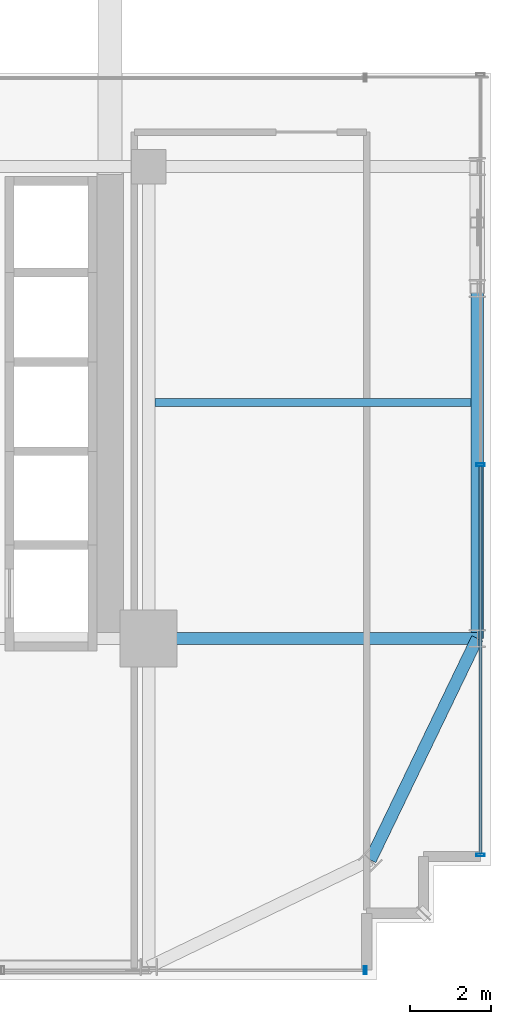
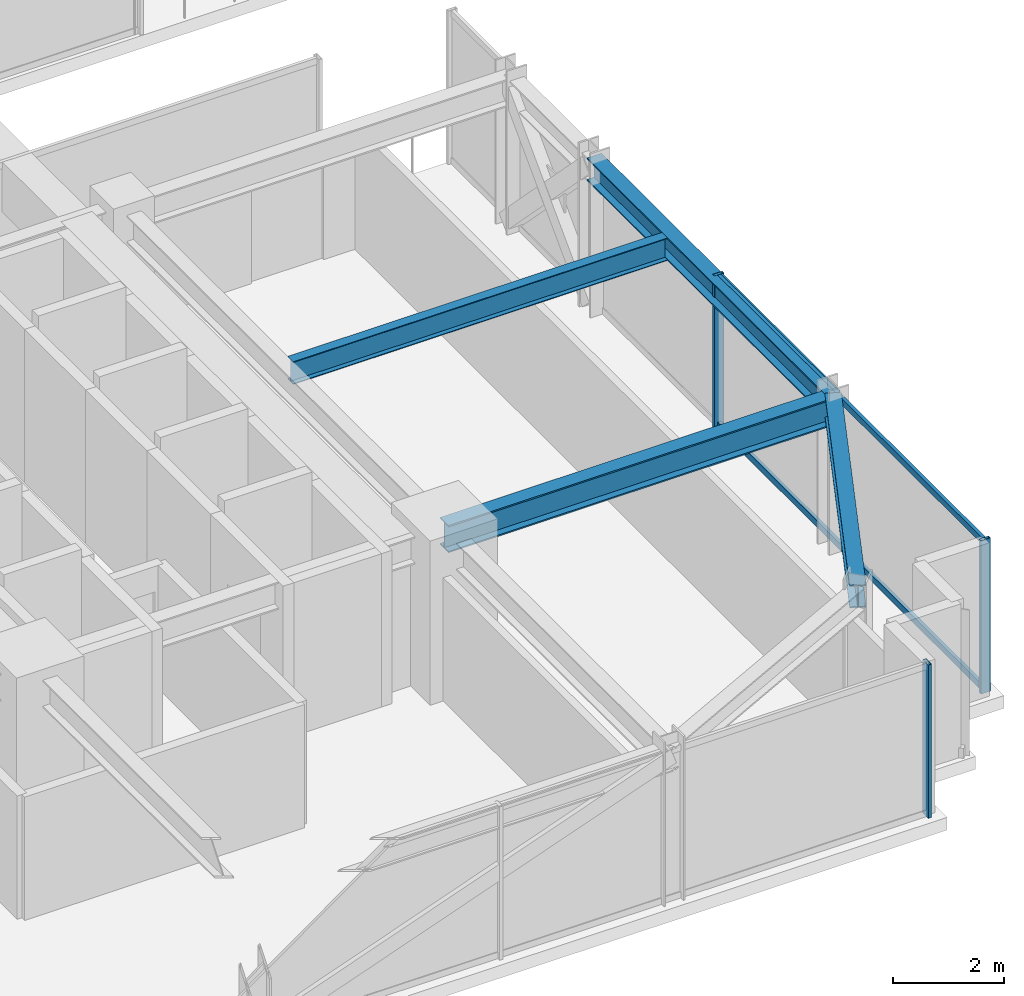
# One storey, part 14 of 43: 5 members, 4 beams, 2 elements without a shape of their own.
"""IFC4 building model written with IfcOpenShell, lengths in metres."""

from ifc_helpers import new_model, si_unit, direction, frame, origin, origin_2d, place, context, subcontext, project, spatial, hollow_rectangle, i_section, extrude, source, transform, mapped, material, material_profile, profile_set, type_object, element, aggregate, save


model = new_model("IFC4")

# Units and contexts
model_context = context("Model", 3, precision=1e-05, world=origin(), true_north=direction((0.0, 1.0)))
body_context = subcontext(model_context, "Body", "Model", "MODEL_VIEW")
ifc_project = project(units=[si_unit("LENGTHUNIT", "METRE"), si_unit("AREAUNIT", "SQUARE_METRE"), si_unit("VOLUMEUNIT", "CUBIC_METRE"), si_unit("PLANEANGLEUNIT", "RADIAN"), si_unit("MASSUNIT", "GRAM", prefix="KILO")], contexts=[model_context])

# Site, building, storey
site_placement = place(None, origin())
site = spatial("IfcSite", under=ifc_project, at=site_placement, CompositionType="ELEMENT")
building_placement = place(site_placement, origin())
building = spatial("IfcBuilding", under=site, at=building_placement, Name="Nahalor Promenade Grand Hotel", CompositionType="ELEMENT")
storey_placement = place(building_placement, frame((0.0, 0.0, 47.0)))
storey = spatial("IfcBuildingStorey", under=building, at=storey_placement, Name="L10", CompositionType="ELEMENT", Elevation=47.0)

# Beams
ifc_material_1 = material(Name="Steel S355JR", Category="steel")
ifc_material_profile_1 = material_profile(ifc_material_1, i_section(OverallWidth=0.3, OverallDepth=0.5, WebThickness=0.0145, FlangeThickness=0.028, at=origin_2d()), Name="HEB 500")
ifc_profile_set_1 = profile_set([ifc_material_profile_1], Name="Steel S355JR")
beam_type_1 = type_object("IfcBeamType", Name="Beam-Spandrel-HEB500", PredefinedType="SPANDREL", material=ifc_profile_set_1)
shared_shape_1 = source(origin(), body_context, "Body", "SweptSolid", [
    extrude(i_section(OverallWidth=0.3, OverallDepth=0.5, WebThickness=0.0145, FlangeThickness=0.028, at=origin_2d()), origin(), (0.0, 0.0, 1.0), 8.60009765625),
])
beam_1_placement = place(storey_placement, frame((25.080078125, -17.0, 3.1201171875), z_axis=(0.0, 1.0, 0.0), x_axis=(-1.0, 0.0, 0.0)))
element("IfcBeam", 1, at=beam_1_placement, inside=storey, type_object=beam_type_1, Name="BM-L10-SP-E-0", PredefinedType="SPANDREL", context=body_context, shape_type="MappedRepresentation", body=[
    mapped(shared_shape_1, transform((0.0, 0.0, 0.0), scale=1.0)),
])
ifc_material_profile_2 = material_profile(ifc_material_1, i_section(OverallWidth=0.3, OverallDepth=0.6, WebThickness=0.0155, FlangeThickness=0.03, at=origin_2d()), Name="HEB 600")
ifc_profile_set_2 = profile_set([ifc_material_profile_2], Name="Steel S355JR")
beam_type_2 = type_object("IfcBeamType", Name="Beam-Girder-HEB600", PredefinedType="BEAM", material=ifc_profile_set_2)
shared_shape_2 = source(origin(), body_context, "Body", "SweptSolid", [
    extrude(i_section(OverallWidth=0.3, OverallDepth=0.6, WebThickness=0.0155, FlangeThickness=0.03, at=origin_2d()), origin(), (0.0, 0.0, 1.0), 8.080078125),
])
beam_2_placement = place(storey_placement, frame((17.0, -17.0, 3.070068359375), z_axis=(1.0, 0.0, 0.0), x_axis=(0.0, 1.0, 0.0)))
element("IfcBeam", 2, at=beam_2_placement, inside=storey, type_object=beam_type_2, Name="BM-L10-GX-0-6", PredefinedType="BEAM", context=body_context, shape_type="MappedRepresentation", body=[
    mapped(shared_shape_2, transform((0.0, 0.0, 0.0), scale=1.0)),
])
shared_shape_3 = source(origin(), body_context, "Body", "SweptSolid", [
    extrude(i_section(OverallWidth=0.3, OverallDepth=0.5, WebThickness=0.0145, FlangeThickness=0.028, at=origin_2d()), origin(), (0.0, 0.0, 1.0), 6.051513671875),
])
beam_3_placement = place(storey_placement, frame((22.449951171875, -22.449951171875, 3.1201171875), z_axis=(0.434630596492, 0.900608818852, 0.0), x_axis=(-0.900608818852, 0.434630596492, 0.0)))
element("IfcBeam", 3, at=beam_3_placement, inside=storey, type_object=beam_type_1, Name="BM-L10-SPC-SE-2", PredefinedType="SPANDREL", context=body_context, shape_type="MappedRepresentation", body=[
    mapped(shared_shape_3, transform((0.0, 0.0, 0.0), scale=1.0)),
])
ifc_material_profile_3 = material_profile(ifc_material_1, i_section(OverallWidth=0.2, OverallDepth=0.5, WebThickness=0.0102, FlangeThickness=0.016, at=origin_2d()), Name="IPE 500")
ifc_profile_set_3 = profile_set([ifc_material_profile_3], Name="Steel S355JR")
beam_type_3 = type_object("IfcBeamType", Name="Beam-Joist-IPE500", PredefinedType="JOIST", material=ifc_profile_set_3)
shared_shape_4 = source(origin(), body_context, "Body", "SweptSolid", [
    extrude(i_section(OverallWidth=0.2, OverallDepth=0.5, WebThickness=0.0102, FlangeThickness=0.016, at=origin_2d()), origin(), (0.0, 0.0, 1.0), 7.780029296875),
])
beam_4_placement = place(storey_placement, frame((17.14990234375, -11.199951171875, 3.1201171875), z_axis=(1.0, 0.0, 0.0), x_axis=(0.0, 1.0, 0.0)))
element("IfcBeam", 4, at=beam_4_placement, inside=storey, type_object=beam_type_3, Name="BM-L10-JSE-0-2", PredefinedType="JOIST", context=body_context, shape_type="MappedRepresentation", body=[
    mapped(shared_shape_4, transform((0.0, 0.0, 0.0), scale=1.0)),
])

# Curtain wall, member
ifc_material_2 = material(Name="Anodised Bronze Aluminium EN AW-6063 T6", Category="aluminium")
curtain_wall_type = type_object("IfcCurtainWallType", Name="CW3 Elliptical-Void Collar Unitised Curtain Wall", PredefinedType="USERDEFINED", material=ifc_material_2)
curtain_wall_1_placement = place(storey_placement, origin())
curtain_wall_1 = element("IfcCurtainWall", 5, at=curtain_wall_1_placement, inside=storey, type_object=curtain_wall_type, Name="L10 Curtain Wall CW-L10-S-1", ObjectType="UNITISED_CURTAIN_WALL", PredefinedType="USERDEFINED")
ifc_material_profile_4 = material_profile(ifc_material_2, hollow_rectangle(XDim=0.07, YDim=0.2, WallThickness=0.005, at=origin_2d()), Name="CWM 70x200x5")
ifc_profile_set_4 = profile_set([ifc_material_profile_4], Name="Anodised Bronze Aluminium EN AW-6063 T6")
member_type_1 = type_object("IfcMemberType", Name="CWM3 Void Collar Mullion 70x200", PredefinedType="MULLION", material=ifc_profile_set_4)
shared_shape_5 = source(origin(), body_context, "Body", "SweptSolid", [
    extrude(hollow_rectangle(XDim=0.07, YDim=0.2, WallThickness=0.005, at=origin_2d()), origin(), (0.0, 0.0, 1.0), 3.3701171875),
])
member_1_placement = place(storey_placement, frame((22.324951171875, -25.159912109375, 0.0), z_axis=(0.0, 0.0, 1.0), x_axis=(1.0, 0.0, 0.0)))
member_1 = element("IfcMember", 6, at=member_1_placement, type_object=member_type_1, Name="CW-L10-S-1 Mullion 5", PredefinedType="MULLION", context=body_context, shape_type="MappedRepresentation", body=[
    mapped(shared_shape_5, transform((0.0, 0.0, 0.0), scale=1.0)),
])
aggregate(curtain_wall_1, [member_1])

# Curtain wall, members
curtain_wall_2_placement = place(storey_placement, origin())
curtain_wall_2 = element("IfcCurtainWall", 7, at=curtain_wall_2_placement, inside=storey, type_object=curtain_wall_type, Name="L10 Curtain Wall CW-L10-E-1", ObjectType="UNITISED_CURTAIN_WALL", PredefinedType="USERDEFINED")
member_2_placement = place(storey_placement, frame((25.159912109375, -22.324951171875, 0.0), z_axis=(0.0, 0.0, 1.0), x_axis=(0.0, 1.0, 0.0)))
member_2 = element("IfcMember", 8, at=member_2_placement, type_object=member_type_1, Name="CW-L10-E-1 Mullion 0", PredefinedType="MULLION", context=body_context, shape_type="MappedRepresentation", body=[
    mapped(shared_shape_5, transform((0.0, 0.0, 0.0), scale=1.0)),
])
member_3_placement = place(storey_placement, frame((25.159912109375, -12.72998046875, 0.0), z_axis=(0.0, 0.0, 1.0), x_axis=(0.0, 1.0, 0.0)))
member_3 = element("IfcMember", 9, at=member_3_placement, type_object=member_type_1, Name="CW-L10-E-1 Mullion 1", PredefinedType="MULLION", context=body_context, shape_type="MappedRepresentation", body=[
    mapped(shared_shape_5, transform((0.0, 0.0, 0.0), scale=1.0)),
])
ifc_material_profile_5 = material_profile(ifc_material_2, hollow_rectangle(XDim=0.07, YDim=0.14, WallThickness=0.004, at=origin_2d()), Name="CWT 70x140x4")
ifc_profile_set_5 = profile_set([ifc_material_profile_5], Name="Anodised Bronze Aluminium EN AW-6063 T6")
member_type_2 = type_object("IfcMemberType", Name="CWT3 Void Collar Transom 70x140", PredefinedType="USERDEFINED", material=ifc_profile_set_5)
shared_shape_6 = source(origin(), body_context, "Body", "SweptSolid", [
    extrude(hollow_rectangle(XDim=0.07, YDim=0.14, WallThickness=0.004, at=origin_2d()), origin(), (0.0, 0.0, 1.0), 9.525146484375),
])
member_4_placement = place(storey_placement, frame((25.159912109375, -22.2900390625, 0.070068359375), z_axis=(0.0, 1.0, 0.0), x_axis=(-1.0, 0.0, 0.0)))
member_4 = element("IfcMember", 10, at=member_4_placement, type_object=member_type_2, Name="CW-L10-E-1 Transom 0-0", ObjectType="TRANSOM", PredefinedType="USERDEFINED", context=body_context, shape_type="MappedRepresentation", body=[
    mapped(shared_shape_6, transform((0.0, 0.0, 0.0), scale=1.0)),
])
member_5_placement = place(storey_placement, frame((25.159912109375, -22.2900390625, 3.300048828125), z_axis=(0.0, 1.0, 0.0), x_axis=(-1.0, 0.0, 0.0)))
member_5 = element("IfcMember", 11, at=member_5_placement, type_object=member_type_2, Name="CW-L10-E-1 Transom 0-1", ObjectType="TRANSOM", PredefinedType="USERDEFINED", context=body_context, shape_type="MappedRepresentation", body=[
    mapped(shared_shape_6, transform((0.0, 0.0, 0.0), scale=1.0)),
])
aggregate(curtain_wall_2, [member_2, member_3, member_4, member_5])

save(model, "model.ifc")
